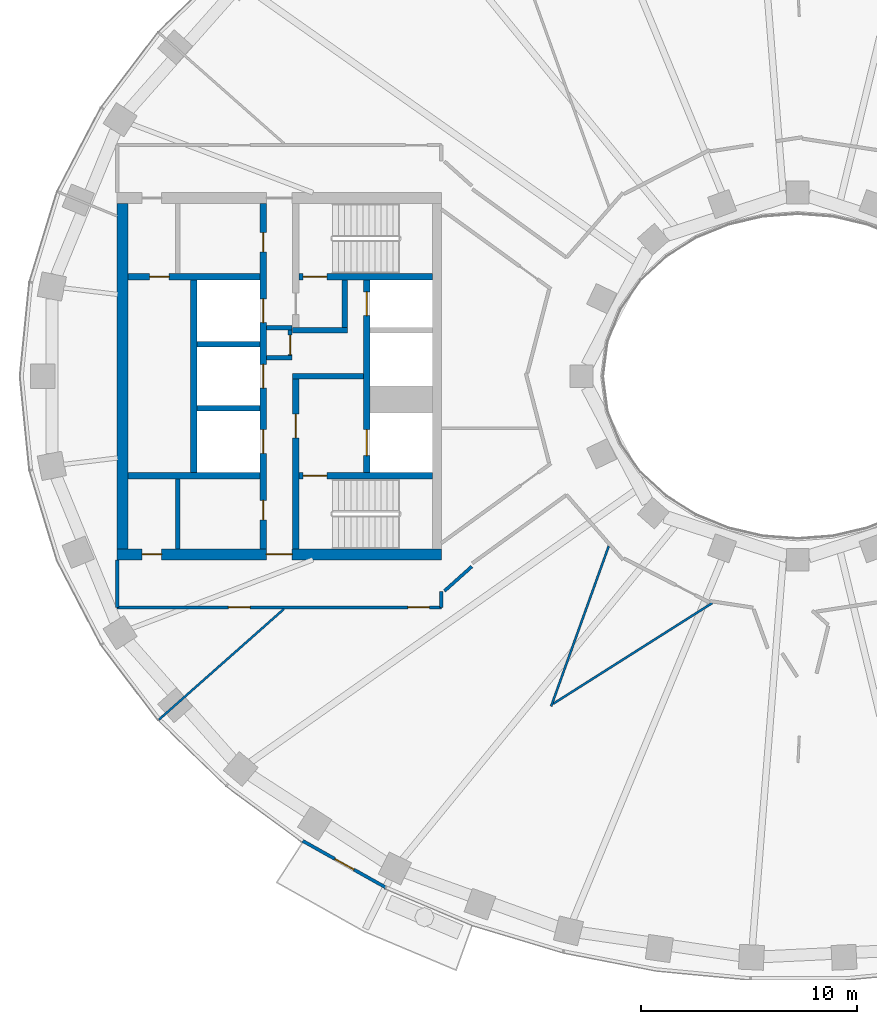
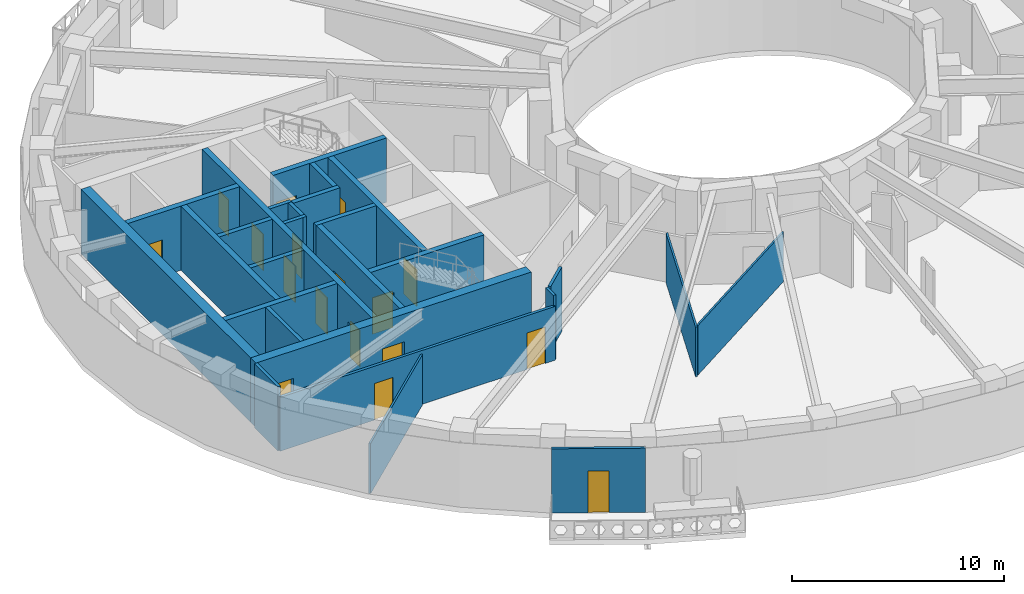
# One storey, part 3 of 15: 27 walls, 17 doors, 17 openings.
"""IFC4 building model written with IfcOpenShell, lengths in metres."""

from ifc_helpers import new_model, si_unit, direction, frame, frame_2d, origin, place, context, subcontext, project, spatial, rectangle, extrude, material, layer, layer_set, type_object, element, fill, save


model = new_model("IFC4")

# Units and contexts
model_context = context("Model", 3, precision=1e-05, world=origin(), true_north=direction((0.0, 1.0)))
body_context = subcontext(model_context, "Body", "Model", "MODEL_VIEW")
ifc_project = project(units=[si_unit("LENGTHUNIT", "METRE"), si_unit("AREAUNIT", "SQUARE_METRE"), si_unit("VOLUMEUNIT", "CUBIC_METRE"), si_unit("PLANEANGLEUNIT", "RADIAN"), si_unit("MASSUNIT", "GRAM", prefix="KILO")], contexts=[model_context])

# Site, building, storey
site_placement = place(None, origin())
site = spatial("IfcSite", under=ifc_project, at=site_placement, CompositionType="ELEMENT")
building_placement = place(site_placement, origin())
building = spatial("IfcBuilding", under=site, at=building_placement, Name="Noorbagh Ring Tower", CompositionType="ELEMENT")
storey_placement = place(building_placement, frame((0.0, 0.0, 194.0)))
storey = spatial("IfcBuildingStorey", under=building, at=storey_placement, Name="L45", CompositionType="ELEMENT", Elevation=194.0)

# Walls
ifc_material_1 = material(Name="Gypsum board on steel studs", Category="steel")
ifc_layer_1 = layer(ifc_material_1, 0.199951171875)
ifc_layer_set_1 = layer_set([ifc_layer_1], Name="Gypsum board on steel studs")
wall_type_1 = type_object("IfcWallType", Name="CORE-PARTITION-200", PredefinedType="PARTITIONING", material=ifc_layer_set_1)
for number, where, z_axis, x_axis, name in (
    (1, (-23.39990234375, 0.85009765625, 0.0), (0.0, 0.0, 1.0), (-1.0, 0.0, 0.0), "Core partition W"),
    (2, (-23.39990234375, 2.25, 0.0), (0.0, 0.0, 1.0), (-1.0, 0.0, 0.0), "Core partition W"),
):
    element("IfcWall", number, at=place(storey_placement, frame(where, z_axis=z_axis, x_axis=x_axis)), inside=storey, type_object=wall_type_1, Name=name, PredefinedType="PARTITIONING", context=body_context, shape_type="SweptSolid", body=[
        extrude(rectangle(XDim=1.2001953125, YDim=0.199951171875, at=frame_2d((0.60009765625, 0.0))), origin(), (0.0, 0.0, 1.0), 3.699951171875),
    ])

# Wall, opening, door
wall_1_placement = place(storey_placement, frame((-23.5, 0.75, 0.0), z_axis=(0.0, 0.0, 1.0), x_axis=(0.0, 1.0, 0.0)))
wall_1 = element("IfcWall", 3, at=wall_1_placement, inside=storey, type_object=wall_type_1, Name="Core partition W", PredefinedType="PARTITIONING", context=body_context, shape_type="SweptSolid", body=[
    extrude(rectangle(XDim=1.60009765625, YDim=0.199951171875, at=frame_2d((0.800048828125, 0.0))), origin(), (0.0, 0.0, 1.0), 3.699951171875),
])
opening_1_placement = place(wall_1_placement, frame((0.25, 0.0, 0.0)))
opening_1 = element("IfcOpeningElement", 4, at=opening_1_placement, cuts=wall_1, Name="Opening L45-CW16", PredefinedType="OPENING", context=body_context, shape_type="SweptSolid", body=[
    extrude(rectangle(XDim=0.89990234375, YDim=2.10009765625, at=frame_2d((0.449951171875, 1.050048828125))), frame((0.0, 0.10986328125, 0.0), z_axis=(0.0, -1.0, 0.0), x_axis=(1.0, 0.0, 0.0)), (0.0, 0.0, 1.0), 0.219970703125),
])
ifc_material_2 = material(Name="Steel door leaf", Category="steel")
door_type_1 = type_object("IfcDoorType", Name="CORE-DOOR-DROOM", OperationType="SINGLE_SWING_LEFT", PredefinedType="DOOR", material=ifc_material_2)
door_1_placement = place(opening_1_placement, origin())
door_1 = element("IfcDoor", 5, at=door_1_placement, inside=storey, type_object=door_type_1, Name="Core room door L45-CW16", OperationType="SINGLE_SWING_RIGHT", OverallHeight=2.10009765625, OverallWidth=0.89990234375, PredefinedType="DOOR", context=body_context, shape_type="SweptSolid", body=[
    extrude(rectangle(XDim=0.89990234375, YDim=2.10009765625, at=frame_2d((0.449951171875, 1.050048828125))), frame((0.0, 0.02490234375, 0.0), z_axis=(0.0, -1.0, 0.0), x_axis=(1.0, 0.0, 0.0)), (0.0, 0.0, 1.0), 0.050048828125),
])
fill(opening_1, door_1)

# Walls
wall_2_placement = place(storey_placement, frame((-28.699951171875, -8.0, 0.0), z_axis=(0.0, 0.0, 1.0), x_axis=(0.0, 1.0, 0.0)))
element("IfcWall", 6, at=wall_2_placement, inside=storey, type_object=wall_type_1, Name="Core partition W", PredefinedType="PARTITIONING", context=body_context, shape_type="SweptSolid", body=[
    extrude(rectangle(XDim=3.25, YDim=0.199951171875, at=frame_2d((1.625, 0.0))), origin(), (0.0, 0.0, 1.0), 3.699951171875),
])
ifc_material_3 = material(Name="Concrete C60/75", Category="concrete")
ifc_layer_2 = layer(ifc_material_3, 0.25)
ifc_layer_set_2 = layer_set([ifc_layer_2], Name="Concrete C60/75")
wall_type_2 = type_object("IfcWallType", Name="CORE-WALL-250-C60-75-EI120", PredefinedType="SHEAR", material=ifc_layer_set_2)
for number, where, z_axis, x_axis, name in (
    (7, (-24.89990234375, -1.47509765625, 0.0), (0.0, 0.0, 1.0), (-1.0, 0.0, 0.0), "Core wall W"),
    (8, (-24.89990234375, 1.47509765625, 0.0), (0.0, 0.0, 1.0), (-1.0, 0.0, 0.0), "Core wall W"),
):
    element("IfcWall", number, at=place(storey_placement, frame(where, z_axis=z_axis, x_axis=x_axis)), inside=storey, type_object=wall_type_2, Name=name, PredefinedType="SHEAR", context=body_context, shape_type="SweptSolid", body=[
        extrude(rectangle(XDim=2.900146484375, YDim=0.25, at=frame_2d((1.4501953125, 0.0))), origin(), (0.0, 0.0, 1.0), 3.699951171875),
    ])
ifc_material_4 = material(Name="Concrete C60/75", Category="concrete")
ifc_layer_3 = layer(ifc_material_4, 0.25)
ifc_layer_set_3 = layer_set([ifc_layer_3], Name="Concrete C60/75")
wall_type_3 = type_object("IfcWallType", Name="CORE-WALL-250-C60-75-EI240", PredefinedType="SHEAR", material=ifc_layer_set_3)
wall_3_placement = place(storey_placement, frame((-20.10009765625, 0.0, 0.0), z_axis=(0.0, 0.0, 1.0), x_axis=(-1.0, 0.0, 0.0)))
element("IfcWall", 9, at=wall_3_placement, inside=storey, type_object=wall_type_3, Name="Core wall W", PredefinedType="SHEAR", context=body_context, shape_type="SweptSolid", body=[
    extrude(rectangle(XDim=3.27978515625, YDim=0.25, at=frame_2d((1.639892578125, 0.0))), origin(), (0.0, 0.0, 1.0), 3.699951171875),
])
wall_4_placement = place(storey_placement, frame((-20.85009765625, 2.125, 0.0), z_axis=(0.0, 0.0, 1.0), x_axis=(-1.0, 0.0, 0.0)))
element("IfcWall", 10, at=wall_4_placement, inside=storey, type_object=wall_type_3, Name="Core wall W", PredefinedType="SHEAR", context=body_context, shape_type="SweptSolid", body=[
    extrude(rectangle(XDim=2.52978515625, YDim=0.25, at=frame_2d((1.264892578125, 0.0))), origin(), (0.0, 0.0, 1.0), 3.699951171875),
])
wall_5_placement = place(storey_placement, frame((-20.97509765625, 2.25, 0.0), z_axis=(0.0, 0.0, 1.0), x_axis=(0.0, 1.0, 0.0)))
element("IfcWall", 11, at=wall_5_placement, inside=storey, type_object=wall_type_3, Name="Core wall W", PredefinedType="SHEAR", context=body_context, shape_type="SweptSolid", body=[
    extrude(rectangle(XDim=2.199951171875, YDim=0.25, at=frame_2d((1.10009765625, 0.0))), origin(), (0.0, 0.0, 1.0), 3.699951171875),
])
ifc_material_5 = material(Name="Concrete C60/75", Category="concrete")
ifc_layer_4 = layer(ifc_material_5, 0.300048828125)
ifc_layer_set_4 = layer_set([ifc_layer_4], Name="Concrete C60/75")
wall_type_4 = type_object("IfcWallType", Name="CORE-WALL-300-C60-75-EI120", PredefinedType="SHEAR", material=ifc_layer_set_4)
wall_6_placement = place(storey_placement, frame((-27.949951171875, -4.449951171875, 0.0), z_axis=(0.0, 0.0, 1.0), x_axis=(0.0, 1.0, 0.0)))
element("IfcWall", 12, at=wall_6_placement, inside=storey, type_object=wall_type_4, Name="Core wall W", PredefinedType="SHEAR", context=body_context, shape_type="SweptSolid", body=[
    extrude(rectangle(XDim=8.89990234375, YDim=0.300048828125, at=frame_2d((4.449951171875, 0.0))), origin(), (0.0, 0.0, 1.0), 3.699951171875),
])

# Wall, openings, doors
wall_7_placement = place(storey_placement, frame((-19.949951171875, -4.449951171875, 0.0), z_axis=(0.0, 0.0, 1.0), x_axis=(0.0, 1.0, 0.0)))
wall_7 = element("IfcWall", 13, at=wall_7_placement, inside=storey, type_object=wall_type_4, Name="Core wall W", PredefinedType="SHEAR", context=body_context, shape_type="SweptSolid", body=[
    extrude(rectangle(XDim=8.89990234375, YDim=0.300048828125, at=frame_2d((4.449951171875, 0.0))), origin(), (0.0, 0.0, 1.0), 3.699951171875),
])
opening_2_placement = place(wall_7_placement, frame((0.77490234375, 0.0, 0.0)))
opening_2 = element("IfcOpeningElement", 14, at=opening_2_placement, cuts=wall_7, Name="Opening L45-CW01", PredefinedType="OPENING", context=body_context, shape_type="SweptSolid", body=[
    extrude(rectangle(XDim=1.199951171875, YDim=2.10009765625, at=frame_2d((0.60009765625, 1.050048828125))), frame((0.0, 0.16015625, 0.0), z_axis=(0.0, -1.0, 0.0), x_axis=(1.0, 0.0, 0.0)), (0.0, 0.0, 1.0), 0.320068359375),
])
opening_3_placement = place(wall_7_placement, frame((7.25, 0.0, 0.0)))
opening_3 = element("IfcOpeningElement", 15, at=opening_3_placement, cuts=wall_7, Name="Opening L45-CW02", PredefinedType="OPENING", context=body_context, shape_type="SweptSolid", body=[
    extrude(rectangle(XDim=1.10009765625, YDim=2.10009765625, at=frame_2d((0.550048828125, 1.050048828125))), frame((0.0, 0.16015625, 0.0), z_axis=(0.0, -1.0, 0.0), x_axis=(1.0, 0.0, 0.0)), (0.0, 0.0, 1.0), 0.320068359375),
])
ifc_material_6 = material(Name="Steel door leaf", Category="steel")
door_type_2 = type_object("IfcDoorType", Name="CORE-DOOR-LD", OperationType="DOUBLE_DOOR_SLIDING", PredefinedType="DOOR", material=ifc_material_6)
door_2_placement = place(opening_3_placement, origin())
door_2 = element("IfcDoor", 16, at=door_2_placement, inside=storey, type_object=door_type_2, Name="Landing door HR1 L45-CW02", OperationType="DOUBLE_DOOR_SLIDING", OverallHeight=2.10009765625, OverallWidth=1.10009765625, PredefinedType="DOOR", context=body_context, shape_type="SweptSolid", body=[
    extrude(rectangle(XDim=1.10009765625, YDim=2.10009765625, at=frame_2d((0.550048828125, 1.050048828125))), frame((0.0, 0.02490234375, 0.0), z_axis=(0.0, -1.0, 0.0), x_axis=(1.0, 0.0, 0.0)), (0.0, 0.0, 1.0), 0.050048828125),
])
fill(opening_3, door_2)
ifc_material_7 = material(Name="Steel door leaf", Category="steel")
door_type_3 = type_object("IfcDoorType", Name="CORE-DOOR-LDW", OperationType="DOUBLE_DOOR_SLIDING", PredefinedType="DOOR", material=ifc_material_7)
door_3_placement = place(opening_2_placement, origin())
door_3 = element("IfcDoor", 17, at=door_3_placement, inside=storey, type_object=door_type_3, Name="Landing door FF1 L45-CW01", OperationType="DOUBLE_DOOR_SLIDING", OverallHeight=2.10009765625, OverallWidth=1.199951171875, PredefinedType="DOOR", context=body_context, shape_type="SweptSolid", body=[
    extrude(rectangle(XDim=1.199951171875, YDim=2.10009765625, at=frame_2d((0.60009765625, 1.050048828125))), frame((0.0, 0.02490234375, 0.0), z_axis=(0.0, -1.0, 0.0), x_axis=(1.0, 0.0, 0.0)), (0.0, 0.0, 1.0), 0.050048828125),
])
fill(opening_2, door_3)

wall_8_placement = place(storey_placement, frame((-24.75, -8.0, 0.0), z_axis=(0.0, 0.0, 1.0), x_axis=(0.0, 1.0, 0.0)))
wall_8 = element("IfcWall", 18, at=wall_8_placement, inside=storey, type_object=wall_type_4, Name="Core wall W", PredefinedType="SHEAR", context=body_context, shape_type="SweptSolid", body=[
    extrude(rectangle(XDim=16.0, YDim=0.300048828125, at=frame_2d((8.0, 0.0))), origin(), (0.0, 0.0, 1.0), 3.699951171875),
])
opening_4_placement = place(wall_8_placement, frame((4.425048828125, 0.0, 0.0)))
opening_4 = element("IfcOpeningElement", 19, at=opening_4_placement, cuts=wall_8, Name="Opening L45-CW03", PredefinedType="OPENING", context=body_context, shape_type="SweptSolid", body=[
    extrude(rectangle(XDim=1.10009765625, YDim=2.10009765625, at=frame_2d((0.550048828125, 1.050048828125))), frame((0.0, 0.16015625, 0.0), z_axis=(0.0, -1.0, 0.0), x_axis=(1.0, 0.0, 0.0)), (0.0, 0.0, 1.0), 0.320068359375),
])
opening_5_placement = place(wall_8_placement, frame((7.449951171875, 0.0, 0.0)))
opening_5 = element("IfcOpeningElement", 20, at=opening_5_placement, cuts=wall_8, Name="Opening L45-CW04", PredefinedType="OPENING", context=body_context, shape_type="SweptSolid", body=[
    extrude(rectangle(XDim=1.10009765625, YDim=2.10009765625, at=frame_2d((0.550048828125, 1.050048828125))), frame((0.0, 0.16015625, 0.0), z_axis=(0.0, -1.0, 0.0), x_axis=(1.0, 0.0, 0.0)), (0.0, 0.0, 1.0), 0.320068359375),
])
opening_6_placement = place(wall_8_placement, frame((10.47509765625, 0.0, 0.0)))
opening_6 = element("IfcOpeningElement", 21, at=opening_6_placement, cuts=wall_8, Name="Opening L45-CW05", PredefinedType="OPENING", context=body_context, shape_type="SweptSolid", body=[
    extrude(rectangle(XDim=1.10009765625, YDim=2.10009765625, at=frame_2d((0.550048828125, 1.050048828125))), frame((0.0, 0.16015625, 0.0), z_axis=(0.0, -1.0, 0.0), x_axis=(1.0, 0.0, 0.0)), (0.0, 0.0, 1.0), 0.320068359375),
])
opening_7_placement = place(wall_8_placement, frame((13.75, 0.0, 0.0)))
opening_7 = element("IfcOpeningElement", 22, at=opening_7_placement, cuts=wall_8, Name="Opening L45-CW12", PredefinedType="OPENING", context=body_context, shape_type="SweptSolid", body=[
    extrude(rectangle(XDim=0.89990234375, YDim=2.10009765625, at=frame_2d((0.449951171875, 1.050048828125))), frame((0.0, 0.16015625, 0.0), z_axis=(0.0, -1.0, 0.0), x_axis=(1.0, 0.0, 0.0)), (0.0, 0.0, 1.0), 0.320068359375),
])
opening_8_placement = place(wall_8_placement, frame((1.35009765625, 0.0, 0.0)))
opening_8 = element("IfcOpeningElement", 23, at=opening_8_placement, cuts=wall_8, Name="Opening L45-CW14", PredefinedType="OPENING", context=body_context, shape_type="SweptSolid", body=[
    extrude(rectangle(XDim=0.89990234375, YDim=2.10009765625, at=frame_2d((0.449951171875, 1.050048828125))), frame((0.0, 0.16015625, 0.0), z_axis=(0.0, -1.0, 0.0), x_axis=(1.0, 0.0, 0.0)), (0.0, 0.0, 1.0), 0.320068359375),
])
door_4_placement = place(opening_7_placement, origin())
door_4 = element("IfcDoor", 24, at=door_4_placement, inside=storey, type_object=door_type_1, Name="Core room door L45-CW12", OperationType="SINGLE_SWING_RIGHT", OverallHeight=2.10009765625, OverallWidth=0.89990234375, PredefinedType="DOOR", context=body_context, shape_type="SweptSolid", body=[
    extrude(rectangle(XDim=0.89990234375, YDim=2.10009765625, at=frame_2d((0.449951171875, 1.050048828125))), frame((0.0, 0.02490234375, 0.0), z_axis=(0.0, -1.0, 0.0), x_axis=(1.0, 0.0, 0.0)), (0.0, 0.0, 1.0), 0.050048828125),
])
fill(opening_7, door_4)
door_5_placement = place(opening_8_placement, origin())
door_5 = element("IfcDoor", 25, at=door_5_placement, inside=storey, type_object=door_type_1, Name="Core room door L45-CW14", OperationType="SINGLE_SWING_LEFT", OverallHeight=2.10009765625, OverallWidth=0.89990234375, PredefinedType="DOOR", context=body_context, shape_type="SweptSolid", body=[
    extrude(rectangle(XDim=0.89990234375, YDim=2.10009765625, at=frame_2d((0.449951171875, 1.050048828125))), frame((0.0, 0.02490234375, 0.0), z_axis=(0.0, -1.0, 0.0), x_axis=(1.0, 0.0, 0.0)), (0.0, 0.0, 1.0), 0.050048828125),
])
fill(opening_8, door_5)
door_6_placement = place(opening_4_placement, origin())
door_6 = element("IfcDoor", 26, at=door_6_placement, inside=storey, type_object=door_type_2, Name="Landing door HR2 L45-CW03", OperationType="DOUBLE_DOOR_SLIDING", OverallHeight=2.10009765625, OverallWidth=1.10009765625, PredefinedType="DOOR", context=body_context, shape_type="SweptSolid", body=[
    extrude(rectangle(XDim=1.10009765625, YDim=2.10009765625, at=frame_2d((0.550048828125, 1.050048828125))), frame((0.0, 0.02490234375, 0.0), z_axis=(0.0, -1.0, 0.0), x_axis=(1.0, 0.0, 0.0)), (0.0, 0.0, 1.0), 0.050048828125),
])
fill(opening_4, door_6)
door_7_placement = place(opening_5_placement, origin())
door_7 = element("IfcDoor", 27, at=door_7_placement, inside=storey, type_object=door_type_2, Name="Landing door HR3 L45-CW04", OperationType="DOUBLE_DOOR_SLIDING", OverallHeight=2.10009765625, OverallWidth=1.10009765625, PredefinedType="DOOR", context=body_context, shape_type="SweptSolid", body=[
    extrude(rectangle(XDim=1.10009765625, YDim=2.10009765625, at=frame_2d((0.550048828125, 1.050048828125))), frame((0.0, 0.02490234375, 0.0), z_axis=(0.0, -1.0, 0.0), x_axis=(1.0, 0.0, 0.0)), (0.0, 0.0, 1.0), 0.050048828125),
])
fill(opening_5, door_7)
door_8_placement = place(opening_6_placement, origin())
door_8 = element("IfcDoor", 28, at=door_8_placement, inside=storey, type_object=door_type_2, Name="Landing door HR4 L45-CW05", OperationType="DOUBLE_DOOR_SLIDING", OverallHeight=2.10009765625, OverallWidth=1.10009765625, PredefinedType="DOOR", context=body_context, shape_type="SweptSolid", body=[
    extrude(rectangle(XDim=1.10009765625, YDim=2.10009765625, at=frame_2d((0.550048828125, 1.050048828125))), frame((0.0, 0.02490234375, 0.0), z_axis=(0.0, -1.0, 0.0), x_axis=(1.0, 0.0, 0.0)), (0.0, 0.0, 1.0), 0.050048828125),
])
fill(opening_6, door_8)

# Wall, opening, door
ifc_material_8 = material(Name="Concrete C60/75", Category="concrete")
ifc_layer_5 = layer(ifc_material_8, 0.300048828125)
ifc_layer_set_5 = layer_set([ifc_layer_5], Name="Concrete C60/75")
wall_type_5 = type_object("IfcWallType", Name="CORE-WALL-300-C60-75-EI240", PredefinedType="SHEAR", material=ifc_layer_set_5)
wall_9_placement = place(storey_placement, frame((-24.89990234375, 4.60009765625, 0.0), z_axis=(0.0, 0.0, 1.0), x_axis=(-1.0, 0.0, 0.0)))
wall_9 = element("IfcWall", 29, at=wall_9_placement, inside=storey, type_object=wall_type_5, Name="Core wall W", PredefinedType="SHEAR", context=body_context, shape_type="SweptSolid", body=[
    extrude(rectangle(XDim=6.10009765625, YDim=0.300048828125, at=frame_2d((3.050048828125, 0.0))), origin(), (0.0, 0.0, 1.0), 3.699951171875),
])
opening_9_placement = place(wall_9_placement, frame((4.199951171875, 0.0, 0.0)))
opening_9 = element("IfcOpeningElement", 30, at=opening_9_placement, cuts=wall_9, Name="Opening L45-CW17", PredefinedType="OPENING", context=body_context, shape_type="SweptSolid", body=[
    extrude(rectangle(XDim=0.89990234375, YDim=2.10009765625, at=frame_2d((0.449951171875, 1.050048828125))), frame((0.0, 0.16015625, 0.0), z_axis=(0.0, -1.0, 0.0), x_axis=(1.0, 0.0, 0.0)), (0.0, 0.0, 1.0), 0.320068359375),
])
door_9_placement = place(opening_9_placement, origin())
door_9 = element("IfcDoor", 31, at=door_9_placement, inside=storey, type_object=door_type_1, Name="Core room door L45-CW17", OperationType="SINGLE_SWING_LEFT", OverallHeight=2.10009765625, OverallWidth=0.89990234375, PredefinedType="DOOR", context=body_context, shape_type="SweptSolid", body=[
    extrude(rectangle(XDim=0.89990234375, YDim=2.10009765625, at=frame_2d((0.449951171875, 1.050048828125))), frame((0.0, 0.02490234375, 0.0), z_axis=(0.0, -1.0, 0.0), x_axis=(1.0, 0.0, 0.0)), (0.0, 0.0, 1.0), 0.050048828125),
])
fill(opening_9, door_9)

# Wall
wall_10_placement = place(storey_placement, frame((-24.89990234375, -4.60009765625, 0.0), z_axis=(0.0, 0.0, 1.0), x_axis=(-1.0, 0.0, 0.0)))
element("IfcWall", 32, at=wall_10_placement, inside=storey, type_object=wall_type_5, Name="Core wall W", PredefinedType="SHEAR", context=body_context, shape_type="SweptSolid", body=[
    extrude(rectangle(XDim=6.10009765625, YDim=0.300048828125, at=frame_2d((3.050048828125, 0.0))), origin(), (0.0, 0.0, 1.0), 3.699951171875),
])

# Wall, opening, door
wall_11_placement = place(storey_placement, frame((-23.22998046875, -8.0, 0.0), z_axis=(0.0, 0.0, 1.0), x_axis=(0.0, 1.0, 0.0)))
wall_11 = element("IfcWall", 33, at=wall_11_placement, inside=storey, type_object=wall_type_5, Name="Core wall W", PredefinedType="SHEAR", context=body_context, shape_type="SweptSolid", body=[
    extrude(rectangle(XDim=7.875, YDim=0.300048828125, at=frame_2d((3.9375, 0.0))), origin(), (0.0, 0.0, 1.0), 3.699951171875),
])
opening_10_placement = place(wall_11_placement, frame((5.14990234375, 0.0, 0.0)))
opening_10 = element("IfcOpeningElement", 34, at=opening_10_placement, cuts=wall_11, Name="Opening L45-CW08", PredefinedType="OPENING", context=body_context, shape_type="SweptSolid", body=[
    extrude(rectangle(XDim=1.10009765625, YDim=2.10009765625, at=frame_2d((0.550048828125, 1.050048828125))), frame((0.0, 0.16015625, 0.0), z_axis=(0.0, -1.0, 0.0), x_axis=(1.0, 0.0, 0.0)), (0.0, 0.0, 1.0), 0.320068359375),
])
ifc_material_9 = material(Name="Steel door leaf", Category="steel")
door_type_4 = type_object("IfcDoorType", Name="CORE-DOOR-DFF", OperationType="SINGLE_SWING_LEFT", PredefinedType="DOOR", material=ifc_material_9)
door_10_placement = place(opening_10_placement, origin())
door_10 = element("IfcDoor", 35, at=door_10_placement, inside=storey, type_object=door_type_4, Name="Firefighting lobby door L45-CW08", OperationType="SINGLE_SWING_LEFT", OverallHeight=2.10009765625, OverallWidth=1.10009765625, PredefinedType="DOOR", context=body_context, shape_type="SweptSolid", body=[
    extrude(rectangle(XDim=1.10009765625, YDim=2.10009765625, at=frame_2d((0.550048828125, 1.050048828125))), frame((0.0, 0.02490234375, 0.0), z_axis=(0.0, -1.0, 0.0), x_axis=(1.0, 0.0, 0.0)), (0.0, 0.0, 1.0), 0.050048828125),
])
fill(opening_10, door_10)

wall_12_placement = place(storey_placement, frame((-16.89990234375, 4.60009765625, 0.0), z_axis=(0.0, 0.0, 1.0), x_axis=(-1.0, 0.0, 0.0)))
wall_12 = element("IfcWall", 36, at=wall_12_placement, inside=storey, type_object=wall_type_5, Name="Core wall W", PredefinedType="SHEAR", context=body_context, shape_type="SweptSolid", body=[
    extrude(rectangle(XDim=6.18017578125, YDim=0.300048828125, at=frame_2d((3.090087890625, 0.0))), origin(), (0.0, 0.0, 1.0), 3.699951171875),
])
opening_11_placement = place(wall_12_placement, frame((4.89990234375, 0.0, 0.0)))
opening_11 = element("IfcOpeningElement", 37, at=opening_11_placement, cuts=wall_12, Name="Opening L45-CW06", PredefinedType="OPENING", context=body_context, shape_type="SweptSolid", body=[
    extrude(rectangle(XDim=1.10009765625, YDim=2.10009765625, at=frame_2d((0.550048828125, 1.050048828125))), frame((0.0, 0.16015625, 0.0), z_axis=(0.0, -1.0, 0.0), x_axis=(1.0, 0.0, 0.0)), (0.0, 0.0, 1.0), 0.320068359375),
])
ifc_material_10 = material(Name="Steel door leaf", Category="steel")
door_type_5 = type_object("IfcDoorType", Name="CORE-DOOR-DSTAIR", OperationType="SINGLE_SWING_LEFT", PredefinedType="DOOR", material=ifc_material_10)
door_11_placement = place(opening_11_placement, origin())
door_11 = element("IfcDoor", 38, at=door_11_placement, inside=storey, type_object=door_type_5, Name="Stair door ST1 L45-CW06", OperationType="SINGLE_SWING_RIGHT", OverallHeight=2.10009765625, OverallWidth=1.10009765625, PredefinedType="DOOR", context=body_context, shape_type="SweptSolid", body=[
    extrude(rectangle(XDim=1.10009765625, YDim=2.10009765625, at=frame_2d((0.550048828125, 1.050048828125))), frame((0.0, 0.02490234375, 0.0), z_axis=(0.0, -1.0, 0.0), x_axis=(1.0, 0.0, 0.0)), (0.0, 0.0, 1.0), 0.050048828125),
])
fill(opening_11, door_11)

wall_13_placement = place(storey_placement, frame((-16.89990234375, -4.60009765625, 0.0), z_axis=(0.0, 0.0, 1.0), x_axis=(-1.0, 0.0, 0.0)))
wall_13 = element("IfcWall", 39, at=wall_13_placement, inside=storey, type_object=wall_type_5, Name="Core wall W", PredefinedType="SHEAR", context=body_context, shape_type="SweptSolid", body=[
    extrude(rectangle(XDim=6.18017578125, YDim=0.300048828125, at=frame_2d((3.090087890625, 0.0))), origin(), (0.0, 0.0, 1.0), 3.699951171875),
])
opening_12_placement = place(wall_13_placement, frame((4.89990234375, 0.0, 0.0)))
opening_12 = element("IfcOpeningElement", 40, at=opening_12_placement, cuts=wall_13, Name="Opening L45-CW07", PredefinedType="OPENING", context=body_context, shape_type="SweptSolid", body=[
    extrude(rectangle(XDim=1.10009765625, YDim=2.10009765625, at=frame_2d((0.550048828125, 1.050048828125))), frame((0.0, 0.16015625, 0.0), z_axis=(0.0, -1.0, 0.0), x_axis=(1.0, 0.0, 0.0)), (0.0, 0.0, 1.0), 0.320068359375),
])
door_12_placement = place(opening_12_placement, origin())
door_12 = element("IfcDoor", 41, at=door_12_placement, inside=storey, type_object=door_type_5, Name="Stair door ST2 L45-CW07", OperationType="SINGLE_SWING_LEFT", OverallHeight=2.10009765625, OverallWidth=1.10009765625, PredefinedType="DOOR", context=body_context, shape_type="SweptSolid", body=[
    extrude(rectangle(XDim=1.10009765625, YDim=2.10009765625, at=frame_2d((0.550048828125, 1.050048828125))), frame((0.0, 0.02490234375, 0.0), z_axis=(0.0, -1.0, 0.0), x_axis=(1.0, 0.0, 0.0)), (0.0, 0.0, 1.0), 0.050048828125),
])
fill(opening_12, door_12)

# Wall, openings, doors
ifc_material_11 = material(Name="Concrete C60/75", Category="concrete")
ifc_layer_6 = layer(ifc_material_11, 0.5)
ifc_layer_set_6 = layer_set([ifc_layer_6], Name="Concrete C60/75")
wall_type_6 = type_object("IfcWallType", Name="CORE-WALL-500-C60-75-EI240", PredefinedType="SHEAR", material=ifc_layer_set_6)
wall_14_placement = place(storey_placement, frame((-16.5, -8.25, 0.0), z_axis=(0.0, 0.0, 1.0), x_axis=(-1.0, 0.0, 0.0)))
wall_14 = element("IfcWall", 42, at=wall_14_placement, inside=storey, type_object=wall_type_6, Name="Core wall W", PredefinedType="SHEAR", context=body_context, shape_type="SweptSolid", body=[
    extrude(rectangle(XDim=15.0, YDim=0.5, at=frame_2d((7.5, 0.0))), origin(), (0.0, 0.0, 1.0), 3.699951171875),
])
opening_13_placement = place(wall_14_placement, frame((6.89990234375, 0.0, 0.0)))
opening_13 = element("IfcOpeningElement", 43, at=opening_13_placement, cuts=wall_14, Name="Opening L45-CW11", PredefinedType="OPENING", context=body_context, shape_type="SweptSolid", body=[
    extrude(rectangle(XDim=1.199951171875, YDim=2.10009765625, at=frame_2d((0.60009765625, 1.050048828125))), frame((0.0, 0.260009765625, 0.0), z_axis=(0.0, -1.0, 0.0), x_axis=(1.0, 0.0, 0.0)), (0.0, 0.0, 1.0), 0.52001953125),
])
opening_14_placement = place(wall_14_placement, frame((12.949951171875, 0.0, 0.0)))
opening_14 = element("IfcOpeningElement", 44, at=opening_14_placement, cuts=wall_14, Name="Opening L45-CW15", PredefinedType="OPENING", context=body_context, shape_type="SweptSolid", body=[
    extrude(rectangle(XDim=0.89990234375, YDim=2.10009765625, at=frame_2d((0.449951171875, 1.050048828125))), frame((0.0, 0.260009765625, 0.0), z_axis=(0.0, -1.0, 0.0), x_axis=(1.0, 0.0, 0.0)), (0.0, 0.0, 1.0), 0.52001953125),
])
door_13_placement = place(opening_14_placement, origin())
door_13 = element("IfcDoor", 45, at=door_13_placement, inside=storey, type_object=door_type_1, Name="Core room door L45-CW15", OperationType="SINGLE_SWING_LEFT", OverallHeight=2.10009765625, OverallWidth=0.89990234375, PredefinedType="DOOR", context=body_context, shape_type="SweptSolid", body=[
    extrude(rectangle(XDim=0.89990234375, YDim=2.10009765625, at=frame_2d((0.449951171875, 1.050048828125))), frame((0.0, 0.02490234375, 0.0), z_axis=(0.0, -1.0, 0.0), x_axis=(1.0, 0.0, 0.0)), (0.0, 0.0, 1.0), 0.050048828125),
])
fill(opening_14, door_13)
ifc_material_12 = material(Name="Steel door leaf", Category="steel")
door_type_6 = type_object("IfcDoorType", Name="CORE-DOOR-PORT", OperationType="DOUBLE_DOOR_DOUBLE_SWING", PredefinedType="DOOR", material=ifc_material_12)
door_14_placement = place(opening_13_placement, origin())
door_14 = element("IfcDoor", 46, at=door_14_placement, inside=storey, type_object=door_type_6, Name="Core entrance door L45-CW11", OperationType="DOUBLE_DOOR_DOUBLE_SWING", OverallHeight=2.10009765625, OverallWidth=1.199951171875, PredefinedType="DOOR", context=body_context, shape_type="SweptSolid", body=[
    extrude(rectangle(XDim=1.199951171875, YDim=2.10009765625, at=frame_2d((0.60009765625, 1.050048828125))), frame((0.0, 0.02490234375, 0.0), z_axis=(0.0, -1.0, 0.0), x_axis=(1.0, 0.0, 0.0)), (0.0, 0.0, 1.0), 0.050048828125),
])
fill(opening_13, door_14)

# Walls
wall_15_placement = place(storey_placement, frame((-31.25, -8.0, 0.0), z_axis=(0.0, 0.0, 1.0), x_axis=(0.0, 1.0, 0.0)))
element("IfcWall", 47, at=wall_15_placement, inside=storey, type_object=wall_type_6, Name="Core wall W", PredefinedType="SHEAR", context=body_context, shape_type="SweptSolid", body=[
    extrude(rectangle(XDim=16.0, YDim=0.5, at=frame_2d((8.0, 0.0))), origin(), (0.0, 0.0, 1.0), 3.699951171875),
])
ifc_material_13 = material(Name="Gypsum board on steel studs", Category="steel")
ifc_layer_7 = layer(ifc_material_13, 0.14990234375)
ifc_layer_set_7 = layer_set([ifc_layer_7], Name="Gypsum board on steel studs")
wall_type_7 = type_object("IfcWallType", Name="CORRIDOR PARTITION 150 EI 30", PredefinedType="PARTITIONING", material=ifc_layer_set_7)
wall_16_placement = place(storey_placement, frame((-31.5, -10.699951171875, 0.0), z_axis=(0.0, 0.0, 1.0), x_axis=(0.0, 1.0, 0.0)))
element("IfcWall", 48, at=wall_16_placement, inside=storey, type_object=wall_type_7, Name="L45/wall/P02", PredefinedType="PARTITIONING", context=body_context, shape_type="SweptSolid", body=[
    extrude(rectangle(XDim=2.199951171875, YDim=0.14990234375, at=frame_2d((1.10009765625, 0.0))), origin(), (0.0, 0.0, 1.0), 3.699951171875),
])

# Wall, openings, doors
wall_17_placement = place(storey_placement, frame((-31.5, -10.699951171875, 0.0), z_axis=(0.0, 0.0, 1.0), x_axis=(1.0, 0.0, 0.0)))
wall_17 = element("IfcWall", 49, at=wall_17_placement, inside=storey, type_object=wall_type_7, Name="L45/wall/P03", PredefinedType="PARTITIONING", context=body_context, shape_type="SweptSolid", body=[
    extrude(rectangle(XDim=15.0, YDim=0.14990234375, at=frame_2d((7.5, 0.0))), origin(), (0.0, 0.0, 1.0), 3.10009765625),
])
opening_15_placement = place(wall_17_placement, frame((5.14990234375, 0.0, 0.0)))
opening_15 = element("IfcOpeningElement", 50, at=opening_15_placement, cuts=wall_17, Name="Opening D1", PredefinedType="OPENING", context=body_context, shape_type="SweptSolid", body=[
    extrude(rectangle(XDim=1.0, YDim=2.10009765625, at=frame_2d((0.5, 1.050048828125))), frame((0.0, 0.0849609375, 0.0), z_axis=(0.0, -1.0, 0.0), x_axis=(1.0, 0.0, 0.0)), (0.0, 0.0, 1.0), 0.169921875),
])
opening_16_placement = place(wall_17_placement, frame((13.447998046875, 0.0, 0.0)))
opening_16 = element("IfcOpeningElement", 51, at=opening_16_placement, cuts=wall_17, Name="Opening D1", PredefinedType="OPENING", context=body_context, shape_type="SweptSolid", body=[
    extrude(rectangle(XDim=1.0, YDim=2.10009765625, at=frame_2d((0.5, 1.050048828125))), frame((0.0, 0.0849609375, 0.0), z_axis=(0.0, -1.0, 0.0), x_axis=(1.0, 0.0, 0.0)), (0.0, 0.0, 1.0), 0.169921875),
])
ifc_material_14 = material(Name="Timber, painted", Category="wood")
door_type_7 = type_object("IfcDoorType", Name="DOOR 1000 X 2100 FD30", OperationType="SINGLE_SWING_LEFT", PredefinedType="DOOR", material=ifc_material_14)
door_15_placement = place(opening_15_placement, origin())
door_15 = element("IfcDoor", 52, at=door_15_placement, inside=storey, type_object=door_type_7, Name="L45-D06", OperationType="SINGLE_SWING_RIGHT", OverallHeight=2.10009765625, OverallWidth=1.0, PredefinedType="DOOR", context=body_context, shape_type="SweptSolid", body=[
    extrude(rectangle(XDim=1.0, YDim=2.10009765625, at=frame_2d((0.5, 1.050048828125))), frame((0.0, 0.02490234375, 0.0), z_axis=(0.0, -1.0, 0.0), x_axis=(1.0, 0.0, 0.0)), (0.0, 0.0, 1.0), 0.050048828125),
])
fill(opening_15, door_15)
door_16_placement = place(opening_16_placement, origin())
door_16 = element("IfcDoor", 53, at=door_16_placement, inside=storey, type_object=door_type_7, Name="L45-D08", OperationType="SINGLE_SWING_RIGHT", OverallHeight=2.10009765625, OverallWidth=1.0, PredefinedType="DOOR", context=body_context, shape_type="SweptSolid", body=[
    extrude(rectangle(XDim=1.0, YDim=2.10009765625, at=frame_2d((0.5, 1.050048828125))), frame((0.0, 0.02490234375, 0.0), z_axis=(0.0, -1.0, 0.0), x_axis=(1.0, 0.0, 0.0)), (0.0, 0.0, 1.0), 0.050048828125),
])
fill(opening_16, door_16)

# Walls
wall_18_placement = place(storey_placement, frame((-16.5, -10.699951171875, 0.0), z_axis=(0.0, 0.0, 1.0), x_axis=(0.0, 1.0, 0.0)))
element("IfcWall", 54, at=wall_18_placement, inside=storey, type_object=wall_type_7, Name="L45/wall/P08", PredefinedType="PARTITIONING", context=body_context, shape_type="SweptSolid", body=[
    extrude(rectangle(XDim=0.73583984375, YDim=0.14990234375, at=frame_2d((0.367919921875, 0.0))), origin(), (0.0, 0.0, 1.0), 3.699951171875),
])
wall_19_placement = place(storey_placement, frame((-15.083984375, -8.805908203125, 0.0), z_axis=(0.0, 0.0, 1.0), x_axis=(-0.744832366149, -0.667251636444, 0.0)))
element("IfcWall", 55, at=wall_19_placement, inside=storey, type_object=wall_type_7, Name="L45/wall/P82", PredefinedType="PARTITIONING", context=body_context, shape_type="SweptSolid", body=[
    extrude(rectangle(XDim=1.702392578125, YDim=0.14990234375, at=frame_2d((0.85107421875, 0.0))), origin(), (0.0, 0.0, 1.0), 3.699951171875),
])

# Wall, opening, door
ifc_material_15 = material(Name="Insulated aluminium clad panel", Category="aluminium")
ifc_layer_8 = layer(ifc_material_15, 0.14990234375)
ifc_layer_set_8 = layer_set([ifc_layer_8], Name="Insulated aluminium clad panel")
wall_type_8 = type_object("IfcWallType", Name="ENV-WALL-DOOR", PredefinedType="STANDARD", material=ifc_layer_set_8)
wall_20_placement = place(storey_placement, frame((-22.913330078125, -21.508544921875, 0.0), z_axis=(0.0, 0.0, 1.0), x_axis=(0.872046572975, -0.489422899509, 0.0)))
wall_20 = element("IfcWall", 56, at=wall_20_placement, inside=storey, type_object=wall_type_8, Name="Balcony door wall chord 30", PredefinedType="STANDARD", context=body_context, shape_type="SweptSolid", body=[
    extrude(rectangle(XDim=4.425537109375, YDim=0.14990234375, at=frame_2d((2.212890625, 0.0))), origin(), (0.0, 0.0, 1.0), 3.699951171875),
])
opening_17_placement = place(wall_20_placement, frame((1.712646484375, 0.0, 0.0)))
opening_17 = element("IfcOpeningElement", 57, at=opening_17_placement, cuts=wall_20, Name="Opening D-BL", PredefinedType="OPENING", context=body_context, shape_type="SweptSolid", body=[
    extrude(rectangle(XDim=1.0, YDim=2.39990234375, at=frame_2d((0.5, 1.199951171875))), frame((0.0, 0.0849609375, 0.0), z_axis=(0.0, -1.0, 0.0), x_axis=(1.0, 0.0, 0.0)), (0.0, 0.0, 1.0), 0.169921875),
])
ifc_material_16 = material(Name="Aluminium and glass", Category="aluminium")
door_type_8 = type_object("IfcDoorType", Name="ENV-DOOR-BALCONY", OperationType="SINGLE_SWING_LEFT", PredefinedType="DOOR", material=ifc_material_16)
door_17_placement = place(opening_17_placement, origin())
door_17 = element("IfcDoor", 58, at=door_17_placement, inside=storey, type_object=door_type_8, Name="Balcony door chord 30", OperationType="SINGLE_SWING_RIGHT", OverallHeight=2.39990234375, OverallWidth=1.0, PredefinedType="DOOR", context=body_context, shape_type="SweptSolid", body=[
    extrude(rectangle(XDim=1.0, YDim=2.39990234375, at=frame_2d((0.5, 1.199951171875))), frame((0.0, 0.02490234375, 0.0), z_axis=(0.0, -1.0, 0.0), x_axis=(1.0, 0.0, 0.0)), (0.0, 0.0, 1.0), 0.050048828125),
])
fill(opening_17, door_17)

# Walls
ifc_material_17 = material(Name="Gypsum board on steel studs", Category="steel")
ifc_layer_9 = layer(ifc_material_17, 0.10009765625)
ifc_layer_set_9 = layer_set([ifc_layer_9], Name="Gypsum board on steel studs")
wall_type_9 = type_object("IfcWallType", Name="PARTITION 100 GYPSUM", PredefinedType="PARTITIONING", material=ifc_layer_set_9)
wall_21_placement = place(storey_placement, frame((-29.569091796875, -15.89501953125, 0.0), z_axis=(0.0, 0.0, 1.0), x_axis=(0.748985701008, 0.662586160198, 0.0)))
element("IfcWall", 59, at=wall_21_placement, inside=storey, type_object=wall_type_9, Name="L45/wall/P06", PredefinedType="PARTITIONING", context=body_context, shape_type="SweptSolid", body=[
    extrude(rectangle(XDim=7.72265625, YDim=0.10009765625, at=frame_2d((3.861328125, 0.0))), origin(), (0.0, 0.0, 1.0), 2.89990234375),
])
wall_22_placement = place(storey_placement, frame((-11.416015625, -15.281982421875, 0.0), z_axis=(0.0, 0.0, 1.0), x_axis=(0.338341338167, 0.941023452889, 0.0)))
element("IfcWall", 60, at=wall_22_placement, inside=storey, type_object=wall_type_9, Name="L45/wall/P20", PredefinedType="PARTITIONING", context=body_context, shape_type="SweptSolid", body=[
    extrude(rectangle(XDim=7.888427734375, YDim=0.10009765625, at=frame_2d((3.9443359375, 0.0))), origin(), (0.0, 0.0, 1.0), 2.85009765625),
])
wall_23_placement = place(storey_placement, frame((-11.319091796875, -15.160888671875, 0.0), z_axis=(0.0, 0.0, 1.0), x_axis=(0.844832168381, 0.53503140774, 0.0)))
element("IfcWall", 61, at=wall_23_placement, inside=storey, type_object=wall_type_9, Name="L45/wall/P21", PredefinedType="PARTITIONING", context=body_context, shape_type="SweptSolid", body=[
    extrude(rectangle(XDim=8.709716796875, YDim=0.10009765625, at=frame_2d((4.35498046875, 0.0))), origin(), (0.0, 0.0, 1.0), 2.85009765625),
])

save(model, "model.ifc")
